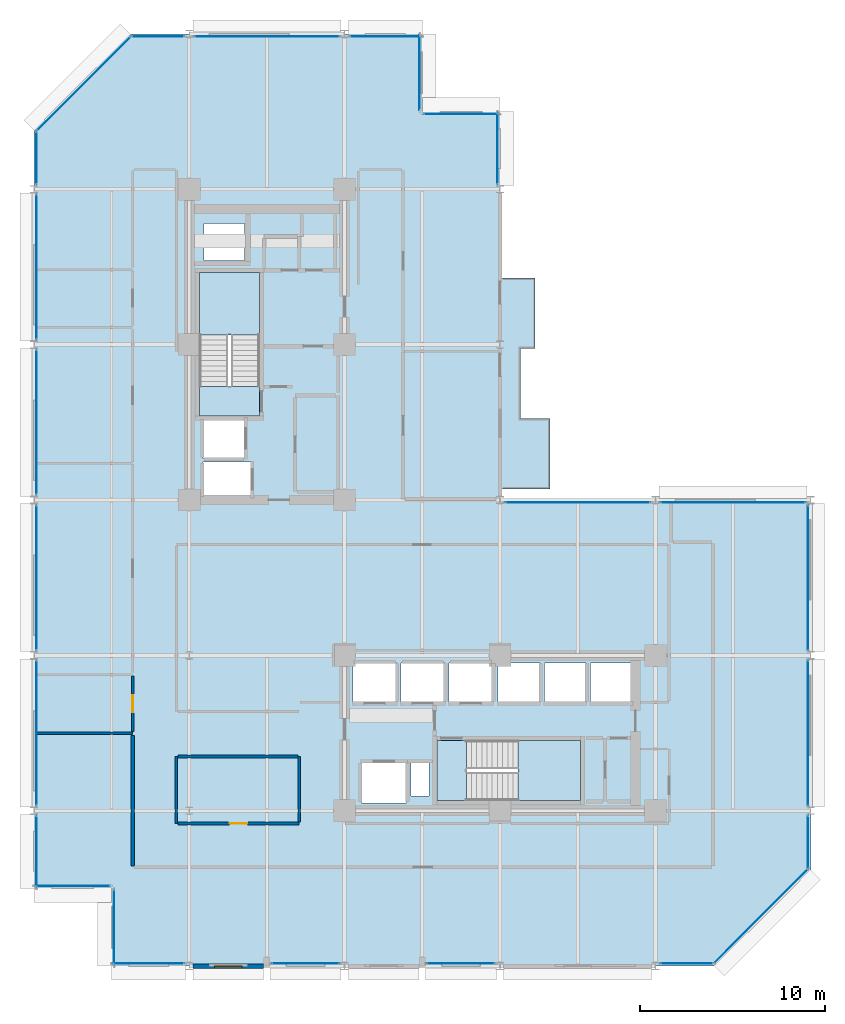
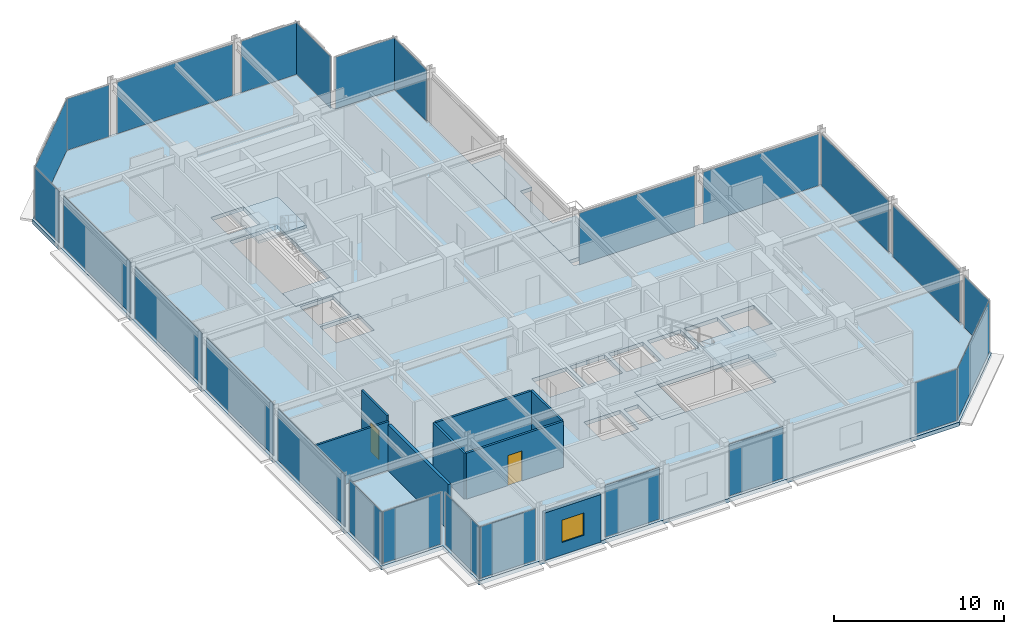
# One storey, part 23 of 30: 25 plates, 8 walls, 6 slabs, 2 doors, 1 window, 3 openings, 27 elements without a shape of their own.
"""IFC4 building model written with IfcOpenShell, lengths in metres."""

from ifc_helpers import new_model, si_unit, direction, frame, frame_2d, origin, origin_2d, place, context, subcontext, project, spatial, polyline, rectangle, outline, extrude, material, layer, layer_set, type_object, element, fill, aggregate, save


model = new_model("IFC4")

# Units and contexts
model_context = context("Model", 3, precision=1e-05, world=origin(), true_north=direction((0.0, 1.0)))
body_context = subcontext(model_context, "Body", "Model", "MODEL_VIEW")
ifc_project = project(units=[si_unit("LENGTHUNIT", "METRE"), si_unit("AREAUNIT", "SQUARE_METRE"), si_unit("VOLUMEUNIT", "CUBIC_METRE"), si_unit("PLANEANGLEUNIT", "RADIAN"), si_unit("MASSUNIT", "GRAM", prefix="KILO")], contexts=[model_context])

# Site, building, storey
site_placement = place(None, origin())
site = spatial("IfcSite", under=ifc_project, at=site_placement, CompositionType="ELEMENT")
building_placement = place(site_placement, origin())
building = spatial("IfcBuilding", under=site, at=building_placement, Name="Nerrivon Quay Data Exchange", CompositionType="ELEMENT")
storey_placement = place(building_placement, frame((0.0, 0.0, 129.5)))
storey = spatial("IfcBuildingStorey", under=building, at=storey_placement, Name="L30", CompositionType="ELEMENT", Elevation=129.5)

# Curtain wall, plate
ifc_material_1 = material(Name="Anodised aluminium 6063-T6", Category="aluminium")
ifc_layer_1 = layer(ifc_material_1, 0.2099609375)
ifc_layer_set_1 = layer_set([ifc_layer_1], Name="Anodised aluminium 6063-T6")
curtain_wall_type = type_object("IfcCurtainWallType", Name="CW-SYS-02", PredefinedType="NOTDEFINED", material=ifc_layer_set_1)
curtain_wall_1_placement = place(storey_placement, origin())
curtain_wall_1 = element("IfcCurtainWall", 1, at=curtain_wall_1_placement, inside=storey, type_object=curtain_wall_type, Name="L30 Unitised Curtain Wall 1", PredefinedType="NOTDEFINED")
ifc_material_2 = material(Name="Double-glazed low-E solar control glass", Category="glass")
ifc_layer_2 = layer(ifc_material_2, 0.028076171875)
ifc_layer_set_2 = layer_set([ifc_layer_2], Name="Double-glazed low-E solar control glass")
plate_type = type_object("IfcPlateType", Name="CWP-GLZ-28", PredefinedType="CURTAIN_PANEL", material=ifc_layer_set_2)
plate_1_placement = place(storey_placement, frame((39.301025390625, 2.698974609375, 0.06494140625), z_axis=(0.0, 0.0, 1.0), x_axis=(-0.707106781187, -0.707106781187, 0.0)))
plate_1 = element("IfcPlate", 2, at=plate_1_placement, type_object=plate_type, Name="CW02 panel 1.1", PredefinedType="CURTAIN_PANEL", context=body_context, shape_type="SweptSolid", body=[
    extrude(rectangle(XDim=7.203857421875, YDim=0.028076171875, at=origin_2d()), origin(), (0.0, 0.0, 1.0), 3.695068359375),
])
aggregate(curtain_wall_1, [plate_1])

curtain_wall_2_placement = place(storey_placement, origin())
curtain_wall_2 = element("IfcCurtainWall", 3, at=curtain_wall_2_placement, inside=storey, type_object=curtain_wall_type, Name="L30 Unitised Curtain Wall 2", PredefinedType="NOTDEFINED")
plate_2_placement = place(storey_placement, frame((35.300048828125, 0.139892578125, 0.06494140625), z_axis=(0.0, 0.0, 1.0), x_axis=(-1.0, 0.0, 0.0)))
plate_2 = element("IfcPlate", 4, at=plate_2_placement, type_object=plate_type, Name="CW02 panel 1.1", PredefinedType="CURTAIN_PANEL", context=body_context, shape_type="SweptSolid", body=[
    extrude(rectangle(XDim=2.85009765625, YDim=0.028076171875, at=origin_2d()), origin(), (0.0, 0.0, 1.0), 3.695068359375),
])
aggregate(curtain_wall_2, [plate_2])

curtain_wall_3_placement = place(storey_placement, origin())
curtain_wall_3 = element("IfcCurtainWall", 5, at=curtain_wall_3_placement, inside=storey, type_object=curtain_wall_type, Name="L30 Unitised Curtain Wall 4", PredefinedType="NOTDEFINED")
plate_3_placement = place(storey_placement, frame((23.08740234375, 0.139892578125, 0.06494140625), z_axis=(0.0, 0.0, 1.0), x_axis=(-1.0, 0.0, 0.0)))
plate_3 = element("IfcPlate", 6, at=plate_3_placement, type_object=plate_type, Name="CW02 panel 1.1", PredefinedType="CURTAIN_PANEL", context=body_context, shape_type="SweptSolid", body=[
    extrude(rectangle(XDim=3.675048828125, YDim=0.028076171875, at=origin_2d()), origin(), (0.0, 0.0, 1.0), 3.695068359375),
])
aggregate(curtain_wall_3, [plate_3])

curtain_wall_4_placement = place(storey_placement, origin())
curtain_wall_4 = element("IfcCurtainWall", 7, at=curtain_wall_4_placement, inside=storey, type_object=curtain_wall_type, Name="L30 Unitised Curtain Wall 6", PredefinedType="NOTDEFINED")
plate_4_placement = place(storey_placement, frame((14.6875, 0.139892578125, 0.06494140625), z_axis=(0.0, 0.0, 1.0), x_axis=(-1.0, 0.0, 0.0)))
plate_4 = element("IfcPlate", 8, at=plate_4_placement, type_object=plate_type, Name="CW02 panel 1.1", PredefinedType="CURTAIN_PANEL", context=body_context, shape_type="SweptSolid", body=[
    extrude(rectangle(XDim=3.675048828125, YDim=0.028076171875, at=origin_2d()), origin(), (0.0, 0.0, 1.0), 3.695068359375),
])
aggregate(curtain_wall_4, [plate_4])

curtain_wall_5_placement = place(storey_placement, origin())
curtain_wall_5 = element("IfcCurtainWall", 9, at=curtain_wall_5_placement, inside=storey, type_object=curtain_wall_type, Name="L30 Unitised Curtain Wall 8", PredefinedType="NOTDEFINED")
plate_5_placement = place(storey_placement, frame((6.199951171875, 0.139892578125, 0.06494140625), z_axis=(0.0, 0.0, 1.0), x_axis=(-1.0, 0.0, 0.0)))
plate_5 = element("IfcPlate", 10, at=plate_5_placement, type_object=plate_type, Name="CW02 panel 1.1", PredefinedType="CURTAIN_PANEL", context=body_context, shape_type="SweptSolid", body=[
    extrude(rectangle(XDim=3.85009765625, YDim=0.028076171875, at=origin_2d()), origin(), (0.0, 0.0, 1.0), 3.695068359375),
])
aggregate(curtain_wall_5, [plate_5])

curtain_wall_6_placement = place(storey_placement, origin())
curtain_wall_6 = element("IfcCurtainWall", 11, at=curtain_wall_6_placement, inside=storey, type_object=curtain_wall_type, Name="L30 Unitised Curtain Wall 9", PredefinedType="NOTDEFINED")
plate_6_placement = place(storey_placement, frame((4.340087890625, 2.10009765625, 0.06494140625), z_axis=(0.0, 0.0, 1.0), x_axis=(0.0, 1.0, 0.0)))
plate_6 = element("IfcPlate", 12, at=plate_6_placement, type_object=plate_type, Name="CW02 panel 1.1", PredefinedType="CURTAIN_PANEL", context=body_context, shape_type="SweptSolid", body=[
    extrude(rectangle(XDim=4.050048828125, YDim=0.028076171875, at=origin_2d()), origin(), (0.0, 0.0, 1.0), 3.695068359375),
])
aggregate(curtain_wall_6, [plate_6])

curtain_wall_7_placement = place(storey_placement, origin())
curtain_wall_7 = element("IfcCurtainWall", 13, at=curtain_wall_7_placement, inside=storey, type_object=curtain_wall_type, Name="L30 Unitised Curtain Wall 10", PredefinedType="NOTDEFINED")
plate_7_placement = place(storey_placement, frame((2.10009765625, 4.340087890625, 0.06494140625), z_axis=(0.0, 0.0, 1.0), x_axis=(-1.0, 0.0, 0.0)))
plate_7 = element("IfcPlate", 14, at=plate_7_placement, type_object=plate_type, Name="CW02 panel 1.1", PredefinedType="CURTAIN_PANEL", context=body_context, shape_type="SweptSolid", body=[
    extrude(rectangle(XDim=4.050048828125, YDim=0.028076171875, at=origin_2d()), origin(), (0.0, 0.0, 1.0), 3.695068359375),
])
aggregate(curtain_wall_7, [plate_7])

curtain_wall_8_placement = place(storey_placement, origin())
curtain_wall_8 = element("IfcCurtainWall", 15, at=curtain_wall_8_placement, inside=storey, type_object=curtain_wall_type, Name="L30 Unitised Curtain Wall 11", PredefinedType="NOTDEFINED")
plate_8_placement = place(storey_placement, frame((0.139892578125, 6.199951171875, 0.06494140625), z_axis=(0.0, 0.0, 1.0), x_axis=(0.0, 1.0, 0.0)))
plate_8 = element("IfcPlate", 16, at=plate_8_placement, type_object=plate_type, Name="CW02 panel 1.1", PredefinedType="CURTAIN_PANEL", context=body_context, shape_type="SweptSolid", body=[
    extrude(rectangle(XDim=3.85009765625, YDim=0.028076171875, at=origin_2d()), origin(), (0.0, 0.0, 1.0), 3.695068359375),
])
aggregate(curtain_wall_8, [plate_8])

curtain_wall_9_placement = place(storey_placement, origin())
curtain_wall_9 = element("IfcCurtainWall", 17, at=curtain_wall_9_placement, inside=storey, type_object=curtain_wall_type, Name="L30 Unitised Curtain Wall 12", PredefinedType="NOTDEFINED")
plate_9_placement = place(storey_placement, frame((0.139892578125, 12.60009765625, 0.06494140625), z_axis=(0.0, 0.0, 1.0), x_axis=(0.0, 1.0, 0.0)))
plate_9 = element("IfcPlate", 18, at=plate_9_placement, type_object=plate_type, Name="CW02 panel 1.1", PredefinedType="CURTAIN_PANEL", context=body_context, shape_type="SweptSolid", body=[
    extrude(rectangle(XDim=7.85009765625, YDim=0.028076171875, at=origin_2d()), origin(), (0.0, 0.0, 1.0), 3.695068359375),
])
aggregate(curtain_wall_9, [plate_9])

curtain_wall_10_placement = place(storey_placement, origin())
curtain_wall_10 = element("IfcCurtainWall", 19, at=curtain_wall_10_placement, inside=storey, type_object=curtain_wall_type, Name="L30 Unitised Curtain Wall 13", PredefinedType="NOTDEFINED")
plate_10_placement = place(storey_placement, frame((0.139892578125, 21.0, 0.06494140625), z_axis=(0.0, 0.0, 1.0), x_axis=(0.0, 1.0, 0.0)))
plate_10 = element("IfcPlate", 20, at=plate_10_placement, type_object=plate_type, Name="CW02 panel 1.1", PredefinedType="CURTAIN_PANEL", context=body_context, shape_type="SweptSolid", body=[
    extrude(rectangle(XDim=7.85009765625, YDim=0.028076171875, at=origin_2d()), origin(), (0.0, 0.0, 1.0), 3.695068359375),
])
aggregate(curtain_wall_10, [plate_10])

curtain_wall_11_placement = place(storey_placement, origin())
curtain_wall_11 = element("IfcCurtainWall", 21, at=curtain_wall_11_placement, inside=storey, type_object=curtain_wall_type, Name="L30 Unitised Curtain Wall 14", PredefinedType="NOTDEFINED")
plate_11_placement = place(storey_placement, frame((0.139892578125, 29.39990234375, 0.06494140625), z_axis=(0.0, 0.0, 1.0), x_axis=(0.0, 1.0, 0.0)))
plate_11 = element("IfcPlate", 22, at=plate_11_placement, type_object=plate_type, Name="CW02 panel 1.1", PredefinedType="CURTAIN_PANEL", context=body_context, shape_type="SweptSolid", body=[
    extrude(rectangle(XDim=7.85009765625, YDim=0.028076171875, at=origin_2d()), origin(), (0.0, 0.0, 1.0), 3.695068359375),
])
aggregate(curtain_wall_11, [plate_11])

curtain_wall_12_placement = place(storey_placement, origin())
curtain_wall_12 = element("IfcCurtainWall", 23, at=curtain_wall_12_placement, inside=storey, type_object=curtain_wall_type, Name="L30 Unitised Curtain Wall 15", PredefinedType="NOTDEFINED")
plate_12_placement = place(storey_placement, frame((0.139892578125, 37.800048828125, 0.06494140625), z_axis=(0.0, 0.0, 1.0), x_axis=(0.0, 1.0, 0.0)))
plate_12 = element("IfcPlate", 24, at=plate_12_placement, type_object=plate_type, Name="CW02 panel 1.1", PredefinedType="CURTAIN_PANEL", context=body_context, shape_type="SweptSolid", body=[
    extrude(rectangle(XDim=7.85009765625, YDim=0.028076171875, at=origin_2d()), origin(), (0.0, 0.0, 1.0), 3.695068359375),
])
aggregate(curtain_wall_12, [plate_12])

curtain_wall_13_placement = place(storey_placement, origin())
curtain_wall_13 = element("IfcCurtainWall", 25, at=curtain_wall_13_placement, inside=storey, type_object=curtain_wall_type, Name="L30 Unitised Curtain Wall 16", PredefinedType="NOTDEFINED")
plate_13_placement = place(storey_placement, frame((0.139892578125, 43.699951171875, 0.06494140625), z_axis=(0.0, 0.0, 1.0), x_axis=(0.0, 1.0, 0.0)))
plate_13 = element("IfcPlate", 26, at=plate_13_placement, type_object=plate_type, Name="CW02 panel 1.1", PredefinedType="CURTAIN_PANEL", context=body_context, shape_type="SweptSolid", body=[
    extrude(rectangle(XDim=2.85009765625, YDim=0.028076171875, at=origin_2d()), origin(), (0.0, 0.0, 1.0), 3.695068359375),
])
aggregate(curtain_wall_13, [plate_13])

curtain_wall_14_placement = place(storey_placement, origin())
curtain_wall_14 = element("IfcCurtainWall", 27, at=curtain_wall_14_placement, inside=storey, type_object=curtain_wall_type, Name="L30 Unitised Curtain Wall 17", PredefinedType="NOTDEFINED")
plate_14_placement = place(storey_placement, frame((2.698974609375, 47.700927734375, 0.06494140625), z_axis=(0.0, 0.0, 1.0), x_axis=(0.707106781187, 0.707106781187, 0.0)))
plate_14 = element("IfcPlate", 28, at=plate_14_placement, type_object=plate_type, Name="CW02 panel 1.1", PredefinedType="CURTAIN_PANEL", context=body_context, shape_type="SweptSolid", body=[
    extrude(rectangle(XDim=7.203857421875, YDim=0.028076171875, at=origin_2d()), origin(), (0.0, 0.0, 1.0), 3.695068359375),
])
aggregate(curtain_wall_14, [plate_14])

curtain_wall_15_placement = place(storey_placement, origin())
curtain_wall_15 = element("IfcCurtainWall", 29, at=curtain_wall_15_placement, inside=storey, type_object=curtain_wall_type, Name="L30 Unitised Curtain Wall 18", PredefinedType="NOTDEFINED")
plate_15_placement = place(storey_placement, frame((6.699951171875, 50.260009765625, 0.06494140625), z_axis=(0.0, 0.0, 1.0), x_axis=(1.0, 0.0, 0.0)))
plate_15 = element("IfcPlate", 30, at=plate_15_placement, type_object=plate_type, Name="CW02 panel 1.1", PredefinedType="CURTAIN_PANEL", context=body_context, shape_type="SweptSolid", body=[
    extrude(rectangle(XDim=2.85009765625, YDim=0.028076171875, at=origin_2d()), origin(), (0.0, 0.0, 1.0), 3.695068359375),
])
aggregate(curtain_wall_15, [plate_15])

curtain_wall_16_placement = place(storey_placement, origin())
curtain_wall_16 = element("IfcCurtainWall", 31, at=curtain_wall_16_placement, inside=storey, type_object=curtain_wall_type, Name="L30 Unitised Curtain Wall 19", PredefinedType="NOTDEFINED")
plate_16_placement = place(storey_placement, frame((12.60009765625, 50.260009765625, 0.06494140625), z_axis=(0.0, 0.0, 1.0), x_axis=(1.0, 0.0, 0.0)))
plate_16 = element("IfcPlate", 32, at=plate_16_placement, type_object=plate_type, Name="CW02 panel 1.1", PredefinedType="CURTAIN_PANEL", context=body_context, shape_type="SweptSolid", body=[
    extrude(rectangle(XDim=7.85009765625, YDim=0.028076171875, at=origin_2d()), origin(), (0.0, 0.0, 1.0), 3.695068359375),
])
aggregate(curtain_wall_16, [plate_16])

curtain_wall_17_placement = place(storey_placement, origin())
curtain_wall_17 = element("IfcCurtainWall", 33, at=curtain_wall_17_placement, inside=storey, type_object=curtain_wall_type, Name="L30 Unitised Curtain Wall 20", PredefinedType="NOTDEFINED")
plate_17_placement = place(storey_placement, frame((19.0, 50.260009765625, 0.06494140625), z_axis=(0.0, 0.0, 1.0), x_axis=(1.0, 0.0, 0.0)))
plate_17 = element("IfcPlate", 34, at=plate_17_placement, type_object=plate_type, Name="CW02 panel 1.1", PredefinedType="CURTAIN_PANEL", context=body_context, shape_type="SweptSolid", body=[
    extrude(rectangle(XDim=3.85009765625, YDim=0.028076171875, at=origin_2d()), origin(), (0.0, 0.0, 1.0), 3.695068359375),
])
aggregate(curtain_wall_17, [plate_17])

curtain_wall_18_placement = place(storey_placement, origin())
curtain_wall_18 = element("IfcCurtainWall", 35, at=curtain_wall_18_placement, inside=storey, type_object=curtain_wall_type, Name="L30 Unitised Curtain Wall 21", PredefinedType="NOTDEFINED")
plate_18_placement = place(storey_placement, frame((20.860107421875, 48.300048828125, 0.06494140625), z_axis=(0.0, 0.0, 1.0), x_axis=(0.0, -1.0, 0.0)))
plate_18 = element("IfcPlate", 36, at=plate_18_placement, type_object=plate_type, Name="CW02 panel 1.1", PredefinedType="CURTAIN_PANEL", context=body_context, shape_type="SweptSolid", body=[
    extrude(rectangle(XDim=4.050048828125, YDim=0.028076171875, at=origin_2d()), origin(), (0.0, 0.0, 1.0), 3.695068359375),
])
aggregate(curtain_wall_18, [plate_18])

curtain_wall_19_placement = place(storey_placement, origin())
curtain_wall_19 = element("IfcCurtainWall", 37, at=curtain_wall_19_placement, inside=storey, type_object=curtain_wall_type, Name="L30 Unitised Curtain Wall 22", PredefinedType="NOTDEFINED")
plate_19_placement = place(storey_placement, frame((23.10009765625, 46.06005859375, 0.06494140625), z_axis=(0.0, 0.0, 1.0), x_axis=(1.0, 0.0, 0.0)))
plate_19 = element("IfcPlate", 38, at=plate_19_placement, type_object=plate_type, Name="CW02 panel 1.1", PredefinedType="CURTAIN_PANEL", context=body_context, shape_type="SweptSolid", body=[
    extrude(rectangle(XDim=4.050048828125, YDim=0.028076171875, at=origin_2d()), origin(), (0.0, 0.0, 1.0), 3.695068359375),
])
aggregate(curtain_wall_19, [plate_19])

curtain_wall_20_placement = place(storey_placement, origin())
curtain_wall_20 = element("IfcCurtainWall", 39, at=curtain_wall_20_placement, inside=storey, type_object=curtain_wall_type, Name="L30 Unitised Curtain Wall 23", PredefinedType="NOTDEFINED")
plate_20_placement = place(storey_placement, frame((25.06005859375, 44.199951171875, 0.06494140625), z_axis=(0.0, 0.0, 1.0), x_axis=(0.0, -1.0, 0.0)))
plate_20 = element("IfcPlate", 40, at=plate_20_placement, type_object=plate_type, Name="CW02 panel 1.1", PredefinedType="CURTAIN_PANEL", context=body_context, shape_type="SweptSolid", body=[
    extrude(rectangle(XDim=3.85009765625, YDim=0.028076171875, at=origin_2d()), origin(), (0.0, 0.0, 1.0), 3.695068359375),
])
aggregate(curtain_wall_20, [plate_20])

curtain_wall_21_placement = place(storey_placement, origin())
curtain_wall_21 = element("IfcCurtainWall", 41, at=curtain_wall_21_placement, inside=storey, type_object=curtain_wall_type, Name="L30 Unitised Curtain Wall 26", PredefinedType="NOTDEFINED")
plate_21_placement = place(storey_placement, frame((29.39990234375, 25.06005859375, 0.06494140625), z_axis=(0.0, 0.0, 1.0), x_axis=(1.0, 0.0, 0.0)))
plate_21 = element("IfcPlate", 42, at=plate_21_placement, type_object=plate_type, Name="CW02 panel 1.1", PredefinedType="CURTAIN_PANEL", context=body_context, shape_type="SweptSolid", body=[
    extrude(rectangle(XDim=7.85009765625, YDim=0.028076171875, at=origin_2d()), origin(), (0.0, 0.0, 1.0), 3.695068359375),
])
aggregate(curtain_wall_21, [plate_21])

curtain_wall_22_placement = place(storey_placement, origin())
curtain_wall_22 = element("IfcCurtainWall", 43, at=curtain_wall_22_placement, inside=storey, type_object=curtain_wall_type, Name="L30 Unitised Curtain Wall 27", PredefinedType="NOTDEFINED")
plate_22_placement = place(storey_placement, frame((37.800048828125, 25.06005859375, 0.06494140625), z_axis=(0.0, 0.0, 1.0), x_axis=(1.0, 0.0, 0.0)))
plate_22 = element("IfcPlate", 44, at=plate_22_placement, type_object=plate_type, Name="CW02 panel 1.1", PredefinedType="CURTAIN_PANEL", context=body_context, shape_type="SweptSolid", body=[
    extrude(rectangle(XDim=7.85009765625, YDim=0.028076171875, at=origin_2d()), origin(), (0.0, 0.0, 1.0), 3.695068359375),
])
aggregate(curtain_wall_22, [plate_22])

curtain_wall_23_placement = place(storey_placement, origin())
curtain_wall_23 = element("IfcCurtainWall", 45, at=curtain_wall_23_placement, inside=storey, type_object=curtain_wall_type, Name="L30 Unitised Curtain Wall 28", PredefinedType="NOTDEFINED")
plate_23_placement = place(storey_placement, frame((41.860107421875, 21.0, 0.06494140625), z_axis=(0.0, 0.0, 1.0), x_axis=(0.0, -1.0, 0.0)))
plate_23 = element("IfcPlate", 46, at=plate_23_placement, type_object=plate_type, Name="CW02 panel 1.1", PredefinedType="CURTAIN_PANEL", context=body_context, shape_type="SweptSolid", body=[
    extrude(rectangle(XDim=7.85009765625, YDim=0.028076171875, at=origin_2d()), origin(), (0.0, 0.0, 1.0), 3.695068359375),
])
aggregate(curtain_wall_23, [plate_23])

curtain_wall_24_placement = place(storey_placement, origin())
curtain_wall_24 = element("IfcCurtainWall", 47, at=curtain_wall_24_placement, inside=storey, type_object=curtain_wall_type, Name="L30 Unitised Curtain Wall 29", PredefinedType="NOTDEFINED")
plate_24_placement = place(storey_placement, frame((41.860107421875, 12.60009765625, 0.06494140625), z_axis=(0.0, 0.0, 1.0), x_axis=(0.0, -1.0, 0.0)))
plate_24 = element("IfcPlate", 48, at=plate_24_placement, type_object=plate_type, Name="CW02 panel 1.1", PredefinedType="CURTAIN_PANEL", context=body_context, shape_type="SweptSolid", body=[
    extrude(rectangle(XDim=7.85009765625, YDim=0.028076171875, at=origin_2d()), origin(), (0.0, 0.0, 1.0), 3.695068359375),
])
aggregate(curtain_wall_24, [plate_24])

curtain_wall_25_placement = place(storey_placement, origin())
curtain_wall_25 = element("IfcCurtainWall", 49, at=curtain_wall_25_placement, inside=storey, type_object=curtain_wall_type, Name="L30 Unitised Curtain Wall 30", PredefinedType="NOTDEFINED")
plate_25_placement = place(storey_placement, frame((41.860107421875, 6.699951171875, 0.06494140625), z_axis=(0.0, 0.0, 1.0), x_axis=(0.0, -1.0, 0.0)))
plate_25 = element("IfcPlate", 50, at=plate_25_placement, type_object=plate_type, Name="CW02 panel 1.1", PredefinedType="CURTAIN_PANEL", context=body_context, shape_type="SweptSolid", body=[
    extrude(rectangle(XDim=2.85009765625, YDim=0.028076171875, at=origin_2d()), origin(), (0.0, 0.0, 1.0), 3.695068359375),
])
aggregate(curtain_wall_25, [plate_25])

# Slab
ifc_material_3 = material(Name="Precast white architectural concrete N50 (50 MPa)", Category="concrete")
ifc_layer_3 = layer(ifc_material_3, 0.25)
ifc_layer_set_3 = layer_set([ifc_layer_3], Name="Precast white architectural concrete N50 (50 MPa)")
slab_type_1 = type_object("IfcSlabType", Name="SLB-BAL-250", PredefinedType="FLOOR", material=ifc_layer_set_3)
slab_1_placement = place(storey_placement, frame((0.0, 0.0, -0.25)))
element("IfcSlab", 51, at=slab_1_placement, inside=storey, type_object=slab_type_1, Name="L30 Waterfront Subtropical Verandah", PredefinedType="FLOOR", context=body_context, shape_type="SweptSolid", body=[
    extrude(outline(polyline([(26.300048828125, 29.60009765625), (26.300048828125, 33.39990234375), (27.10009765625, 33.39990234375), (27.10009765625, 37.199951171875), (25.199951171875, 37.199951171875), (25.199951171875, 33.39990234375), (25.199951171875, 29.60009765625), (25.199951171875, 25.800048828125), (27.89990234375, 25.800048828125), (27.89990234375, 29.60009765625), (26.300048828125, 29.60009765625)])), origin(), (0.0, 0.0, 1.0), 0.25),
])

# Stair, slab
ifc_material_4 = material(Name="Concrete N50 (50 MPa)", Category="concrete")
stair_type = type_object("IfcStairType", Name="STAIR-DOG-41", PredefinedType="HALF_TURN_STAIR", material=ifc_material_4)
stair_1_placement = place(storey_placement, origin())
stair_1 = element("IfcStair", 52, at=stair_1_placement, inside=storey, type_object=stair_type, Name="L30 West Core Fire Stair ST01", PredefinedType="HALF_TURN_STAIR")
ifc_layer_4 = layer(ifc_material_4, 0.199951171875)
ifc_layer_set_4 = layer_set([ifc_layer_4], Name="Concrete N50 (50 MPa)")
slab_type_2 = type_object("IfcSlabType", Name="SLB-LAND-200", PredefinedType="LANDING", material=ifc_layer_set_4)
slab_2_placement = place(storey_placement, frame((0.0, 0.0, 1.85009765625)))
slab_2 = element("IfcSlab", 53, at=slab_2_placement, type_object=slab_type_2, Name="ST01 landing 1", PredefinedType="LANDING", context=body_context, shape_type="SweptSolid", body=[
    extrude(outline(polyline([(12.199951171875, 34.1298828125), (12.199951171875, 37.5), (8.949951171875, 37.5), (8.949951171875, 34.1298828125), (12.199951171875, 34.1298828125)])), origin(), (0.0, 0.0, 1.0), 0.199951171875),
])
aggregate(stair_1, [slab_2])

# Slab
slab_3_placement = place(storey_placement, frame((0.0, 0.0, -0.199951171875)))
element("IfcSlab", 54, at=slab_3_placement, inside=storey, type_object=slab_type_2, Name="L30 ST01 floor landing", PredefinedType="LANDING", context=body_context, shape_type="SweptSolid", body=[
    extrude(outline(polyline([(12.199951171875, 29.75), (12.199951171875, 31.330078125), (8.949951171875, 31.330078125), (8.949951171875, 29.75), (12.199951171875, 29.75)])), origin(), (0.0, 0.0, 1.0), 0.199951171875),
])

# Stair, slab
stair_2_placement = place(storey_placement, origin())
stair_2 = element("IfcStair", 55, at=stair_2_placement, inside=storey, type_object=stair_type, Name="L30 East Core Fire Stair ST02", PredefinedType="HALF_TURN_STAIR")
slab_4_placement = place(storey_placement, frame((0.0, 0.0, 1.85009765625)))
slab_4 = element("IfcSlab", 56, at=slab_4_placement, type_object=slab_type_2, Name="ST02 landing 1", PredefinedType="LANDING", context=body_context, shape_type="SweptSolid", body=[
    extrude(outline(polyline([(26.179931640625, 8.949951171875), (29.550048828125, 8.949951171875), (29.550048828125, 12.199951171875), (26.179931640625, 12.199951171875), (26.179931640625, 8.949951171875)])), origin(), (0.0, 0.0, 1.0), 0.199951171875),
])
aggregate(stair_2, [slab_4])

# Slabs
slab_5_placement = place(storey_placement, frame((0.0, 0.0, -0.199951171875)))
element("IfcSlab", 57, at=slab_5_placement, inside=storey, type_object=slab_type_2, Name="L30 ST02 floor landing", PredefinedType="LANDING", context=body_context, shape_type="SweptSolid", body=[
    extrude(outline(polyline([(21.800048828125, 8.949951171875), (23.3798828125, 8.949951171875), (23.3798828125, 12.199951171875), (21.800048828125, 12.199951171875), (21.800048828125, 8.949951171875)])), origin(), (0.0, 0.0, 1.0), 0.199951171875),
])
ifc_layer_5 = layer(ifc_material_4, 0.27490234375)
ifc_layer_set_5 = layer_set([ifc_layer_5], Name="Concrete N50 (50 MPa)")
slab_type_3 = type_object("IfcSlabType", Name="SLB-TOW-275", PredefinedType="FLOOR", material=ifc_layer_set_5)
slab_6_placement = place(storey_placement, frame((0.0, 0.0, -0.27490234375)))
element("IfcSlab", 58, at=slab_6_placement, inside=storey, type_object=slab_type_3, Name="L30 Primary Structural Slab", PredefinedType="FLOOR", context=body_context, shape_type="SweptSolid", body=[
    extrude(outline(polyline([(42.0, 25.199951171875), (25.199951171875, 25.199951171875), (25.199951171875, 46.199951171875), (21.0, 46.199951171875), (21.0, 50.39990234375), (5.199951171875, 50.39990234375), (0.0, 45.199951171875), (0.0, 4.199951171875), (4.199951171875, 4.199951171875), (4.199951171875, 0.0), (36.800048828125, 0.0), (42.0, 5.199951171875), (42.0, 25.199951171875)]), holes=[polyline([(8.949951171875, 29.75), (8.949951171875, 37.5), (12.199951171875, 37.5), (12.199951171875, 29.75), (8.949951171875, 29.75)]), polyline([(21.800048828125, 12.199951171875), (29.550048828125, 12.199951171875), (29.550048828125, 8.949951171875), (21.800048828125, 8.949951171875), (21.800048828125, 12.199951171875)]), polyline([(30.10009765625, 16.39990234375), (32.35009765625, 16.39990234375), (32.35009765625, 14.25), (30.10009765625, 14.25), (30.10009765625, 16.39990234375)]), polyline([(27.60009765625, 16.39990234375), (29.85009765625, 16.39990234375), (29.85009765625, 14.25), (27.60009765625, 14.25), (27.60009765625, 16.39990234375)]), polyline([(25.10009765625, 14.25), (25.10009765625, 16.39990234375), (27.35009765625, 16.39990234375), (27.35009765625, 14.25), (25.10009765625, 14.25)]), polyline([(22.449951171875, 16.39990234375), (24.800048828125, 16.39990234375), (24.800048828125, 14.25), (22.449951171875, 14.25), (22.449951171875, 16.39990234375)]), polyline([(19.85009765625, 16.39990234375), (22.199951171875, 16.39990234375), (22.199951171875, 14.25), (19.85009765625, 14.25), (19.85009765625, 16.39990234375)]), polyline([(20.39990234375, 9.199951171875), (20.39990234375, 11.0), (21.35009765625, 11.0), (21.35009765625, 9.199951171875), (20.39990234375, 9.199951171875)]), polyline([(17.699951171875, 8.830078125), (17.699951171875, 11.030029296875), (20.14990234375, 11.030029296875), (20.14990234375, 8.830078125), (17.699951171875, 8.830078125)]), polyline([(17.25, 14.25), (17.25, 16.39990234375), (19.60009765625, 16.39990234375), (19.60009765625, 14.25), (17.25, 14.25)]), polyline([(9.14990234375, 27.25), (11.75, 27.25), (11.75, 25.35009765625), (9.14990234375, 25.35009765625), (9.14990234375, 27.25)]), polyline([(9.14990234375, 29.60009765625), (11.39990234375, 29.60009765625), (11.39990234375, 27.449951171875), (9.14990234375, 27.449951171875), (9.14990234375, 29.60009765625)]), polyline([(9.199951171875, 38.14990234375), (9.199951171875, 40.14990234375), (11.39990234375, 40.14990234375), (11.39990234375, 38.14990234375), (9.199951171875, 38.14990234375)])]), origin(), (0.0, 0.0, 1.0), 0.27490234375),
])

# Wall, opening, window
ifc_material_5 = material(Name="Architectural terracotta precast concrete N50 (50 MPa)", Category="masonry")
ifc_layer_6 = layer(ifc_material_5, 0.239990234375)
ifc_layer_set_6 = layer_set([ifc_layer_6], Name="Architectural terracotta precast concrete N50 (50 MPa)")
wall_type_1 = type_object("IfcWallType", Name="EW-PREC-240", PredefinedType="STANDARD", material=ifc_layer_set_6)
wall_1_placement = place(storey_placement, frame((12.425048828125, 0.0, 0.0), z_axis=(0.0, 0.0, 1.0), x_axis=(-1.0, 0.0, 0.0)))
wall_1 = element("IfcWall", 59, at=wall_1_placement, inside=storey, type_object=wall_type_1, Name="L30 Podium Precast Spandrel Wall 7", PredefinedType="STANDARD", context=body_context, shape_type="SweptSolid", body=[
    extrude(rectangle(XDim=3.824951171875, YDim=0.239990234375, at=frame_2d((1.91259765625, 0.0))), origin(), (0.0, 0.0, 1.0), 3.422119140625),
])
opening_1_placement = place(wall_1_placement, frame((1.16259765625, 0.0, 0.89990234375)))
opening_1 = element("IfcOpeningElement", 60, at=opening_1_placement, cuts=wall_1, Name="Opening WN4", PredefinedType="OPENING", context=body_context, shape_type="SweptSolid", body=[
    extrude(rectangle(XDim=1.5, YDim=1.60009765625, at=frame_2d((0.75, 0.800048828125))), frame((0.0, 0.1298828125, 0.0), z_axis=(0.0, -1.0, 0.0), x_axis=(1.0, 0.0, 0.0)), (0.0, 0.0, 1.0), 0.260009765625),
])
window_type = type_object("IfcWindowType", Name="WIN-W4-1500x1600", PartitioningType="SINGLE_PANEL", PredefinedType="WINDOW", material=ifc_material_2)
window_placement = place(opening_1_placement, origin())
window = element("IfcWindow", 61, at=window_placement, inside=storey, type_object=window_type, Name="L30 Solar Facade Window 7", OverallHeight=1.60009765625, OverallWidth=1.5, PartitioningType="SINGLE_PANEL", PredefinedType="WINDOW", context=body_context, shape_type="SweptSolid", body=[
    extrude(rectangle(XDim=1.5, YDim=1.60009765625, at=frame_2d((0.75, 0.800048828125))), frame((0.0, 0.030029296875, 0.0), z_axis=(0.0, -1.0, 0.0), x_axis=(1.0, 0.0, 0.0)), (0.0, 0.0, 1.0), 0.06005859375),
])
fill(opening_1, window)

# Wall
ifc_material_6 = material(Name="Gypsum plasterboard on cold-formed framing", Category="gypsum")
ifc_layer_7 = layer(ifc_material_6, 0.199951171875)
ifc_layer_set_7 = layer_set([ifc_layer_7], Name="Gypsum plasterboard on cold-formed framing")
wall_type_2 = type_object("IfcWallType", Name="WALL-FW-200", PredefinedType="PARTITIONING", material=ifc_layer_set_7)
wall_2_placement = place(storey_placement, frame((5.340087890625, 5.39990234375, 0.0), z_axis=(0.0, 0.0, 1.0), x_axis=(0.0, 1.0, 0.0)))
element("IfcWall", 62, at=wall_2_placement, inside=storey, type_object=wall_type_2, Name="L30 Partition Colocation Data Workspace 1", PredefinedType="PARTITIONING", context=body_context, shape_type="SweptSolid", body=[
    extrude(rectangle(XDim=7.080078125, YDim=0.199951171875, at=frame_2d((3.5400390625, 0.0))), origin(), (0.0, 0.0, 1.0), 3.2919921875),
])

# Wall, opening, door
ifc_layer_8 = layer(ifc_material_6, 0.1201171875)
ifc_layer_set_8 = layer_set([ifc_layer_8], Name="Gypsum plasterboard on cold-formed framing")
wall_type_3 = type_object("IfcWallType", Name="WALL-PT-120", PredefinedType="PARTITIONING", material=ifc_layer_set_8)
wall_3_placement = place(storey_placement, frame((5.340087890625, 12.67138671875, 0.0), z_axis=(0.0, 0.0, 1.0), x_axis=(0.0, 1.0, 0.0)))
wall_3 = element("IfcWall", 63, at=wall_3_placement, inside=storey, type_object=wall_type_3, Name="L30 Partition Accessible Toilet", PredefinedType="PARTITIONING", context=body_context, shape_type="SweptSolid", body=[
    extrude(rectangle(XDim=3.007080078125, YDim=0.1201171875, at=frame_2d((1.50341796875, 0.0))), origin(), (0.0, 0.0, 1.0), 3.824951171875),
])
opening_2_placement = place(wall_3_placement, frame((1.04345703125, 0.0, 0.0)))
opening_2 = element("IfcOpeningElement", 64, at=opening_2_placement, cuts=wall_3, Name="Opening D-WC", PredefinedType="OPENING", context=body_context, shape_type="SweptSolid", body=[
    extrude(rectangle(XDim=0.919921875, YDim=2.10009765625, at=frame_2d((0.4599609375, 1.050048828125))), frame((0.0, 0.070068359375, 0.0), z_axis=(0.0, -1.0, 0.0), x_axis=(1.0, 0.0, 0.0)), (0.0, 0.0, 1.0), 0.14013671875),
])
ifc_material_7 = material(Name="Engineered hardwood timber", Category="wood")
door_type_1 = type_object("IfcDoorType", Name="DR-WC-920", OperationType="NOTDEFINED", PredefinedType="DOOR", material=ifc_material_7)
door_1_placement = place(opening_2_placement, origin())
door_1 = element("IfcDoor", 65, at=door_1_placement, inside=storey, type_object=door_type_1, Name="L30 Door Accessible Toilet", OperationType="SINGLE_SWING_LEFT", OverallHeight=2.10009765625, OverallWidth=0.919921875, PredefinedType="DOOR", context=body_context, shape_type="SweptSolid", body=[
    extrude(rectangle(XDim=0.919921875, YDim=2.10009765625, at=frame_2d((0.4599609375, 1.050048828125))), frame((0.0, 0.02490234375, 0.0), z_axis=(0.0, -1.0, 0.0), x_axis=(1.0, 0.0, 0.0)), (0.0, 0.0, 1.0), 0.050048828125),
])
fill(opening_2, door_1)

# Walls
ifc_layer_9 = layer(ifc_material_6, 0.135009765625)
ifc_layer_set_9 = layer_set([ifc_layer_9], Name="Gypsum plasterboard on cold-formed framing")
wall_type_4 = type_object("IfcWallType", Name="WALL-PT-135", PredefinedType="PARTITIONING", material=ifc_layer_set_9)
wall_4_placement = place(storey_placement, frame((0.1689453125, 12.60009765625, 0.0), z_axis=(0.0, 0.0, 1.0), x_axis=(1.0, 0.0, 0.0)))
element("IfcWall", 66, at=wall_4_placement, inside=storey, type_object=wall_type_4, Name="L30 Partition Accessible Toilet", PredefinedType="PARTITIONING", context=body_context, shape_type="SweptSolid", body=[
    extrude(rectangle(XDim=5.171142578125, YDim=0.135009765625, at=frame_2d((2.58544921875, 0.0))), origin(), (0.0, 0.0, 1.0), 3.468994140625),
])
wall_5_placement = place(storey_placement, frame((7.7099609375, 11.340087890625, 0.0), z_axis=(0.0, 0.0, 1.0), x_axis=(0.0, -1.0, 0.0)))
element("IfcWall", 67, at=wall_5_placement, inside=storey, type_object=wall_type_4, Name="L30 Partition Client Conference Room 1", PredefinedType="PARTITIONING", context=body_context, shape_type="SweptSolid", body=[
    extrude(rectangle(XDim=3.630126953125, YDim=0.135009765625, at=frame_2d((1.81494140625, 0.0))), origin(), (0.0, 0.0, 1.0), 3.2919921875),
])
wall_6_placement = place(storey_placement, frame((14.340087890625, 7.7890625, 0.0), z_axis=(0.0, 0.0, 1.0), x_axis=(0.0, 1.0, 0.0)))
element("IfcWall", 68, at=wall_6_placement, inside=storey, type_object=wall_type_4, Name="L30 Partition Client Conference Room 1", PredefinedType="PARTITIONING", context=body_context, shape_type="SweptSolid", body=[
    extrude(rectangle(XDim=3.551025390625, YDim=0.135009765625, at=frame_2d((1.775390625, 0.0))), origin(), (0.0, 0.0, 1.0), 3.2919921875),
])

# Wall, opening, door
ifc_layer_10 = layer(ifc_material_6, 0.14990234375)
ifc_layer_set_10 = layer_set([ifc_layer_10], Name="Gypsum plasterboard on cold-formed framing")
wall_type_5 = type_object("IfcWallType", Name="WALL-PT-150", PredefinedType="PARTITIONING", material=ifc_layer_set_10)
wall_7_placement = place(storey_placement, frame((7.781494140625, 7.7099609375, 0.0), z_axis=(0.0, 0.0, 1.0), x_axis=(1.0, 0.0, 0.0)))
wall_7 = element("IfcWall", 69, at=wall_7_placement, inside=storey, type_object=wall_type_5, Name="L30 Partition Client Conference Room 1", PredefinedType="PARTITIONING", context=body_context, shape_type="SweptSolid", body=[
    extrude(rectangle(XDim=6.55859375, YDim=0.14990234375, at=frame_2d((3.279296875, 0.0))), origin(), (0.0, 0.0, 1.0), 3.297119140625),
])
opening_3_placement = place(wall_7_placement, frame((2.80419921875, 0.0, 0.0)))
opening_3 = element("IfcOpeningElement", 70, at=opening_3_placement, cuts=wall_7, Name="Opening D-01", PredefinedType="OPENING", context=body_context, shape_type="SweptSolid", body=[
    extrude(rectangle(XDim=0.949951171875, YDim=2.14990234375, at=frame_2d((0.47509765625, 1.074951171875))), frame((0.0, 0.0849609375, 0.0), z_axis=(0.0, -1.0, 0.0), x_axis=(1.0, 0.0, 0.0)), (0.0, 0.0, 1.0), 0.169921875),
])
door_type_2 = type_object("IfcDoorType", Name="DR-INT-950", OperationType="NOTDEFINED", PredefinedType="DOOR", material=ifc_material_7)
door_2_placement = place(opening_3_placement, origin())
door_2 = element("IfcDoor", 71, at=door_2_placement, inside=storey, type_object=door_type_2, Name="L30 Door Client Conference Room 1", OperationType="SINGLE_SWING_RIGHT", OverallHeight=2.14990234375, OverallWidth=0.949951171875, PredefinedType="DOOR", context=body_context, shape_type="SweptSolid", body=[
    extrude(rectangle(XDim=0.949951171875, YDim=2.14990234375, at=frame_2d((0.47509765625, 1.074951171875))), frame((0.0, 0.02490234375, 0.0), z_axis=(0.0, -1.0, 0.0), x_axis=(1.0, 0.0, 0.0)), (0.0, 0.0, 1.0), 0.050048828125),
])
fill(opening_3, door_2)

# Wall
wall_8_placement = place(storey_placement, frame((14.2685546875, 11.340087890625, 0.0), z_axis=(0.0, 0.0, 1.0), x_axis=(-1.0, 0.0, 0.0)))
element("IfcWall", 72, at=wall_8_placement, inside=storey, type_object=wall_type_5, Name="L30 Partition Client Conference Room 1", PredefinedType="PARTITIONING", context=body_context, shape_type="SweptSolid", body=[
    extrude(rectangle(XDim=6.487060546875, YDim=0.14990234375, at=frame_2d((3.24365234375, 0.0))), origin(), (0.0, 0.0, 1.0), 3.297119140625),
])

save(model, "model.ifc")
